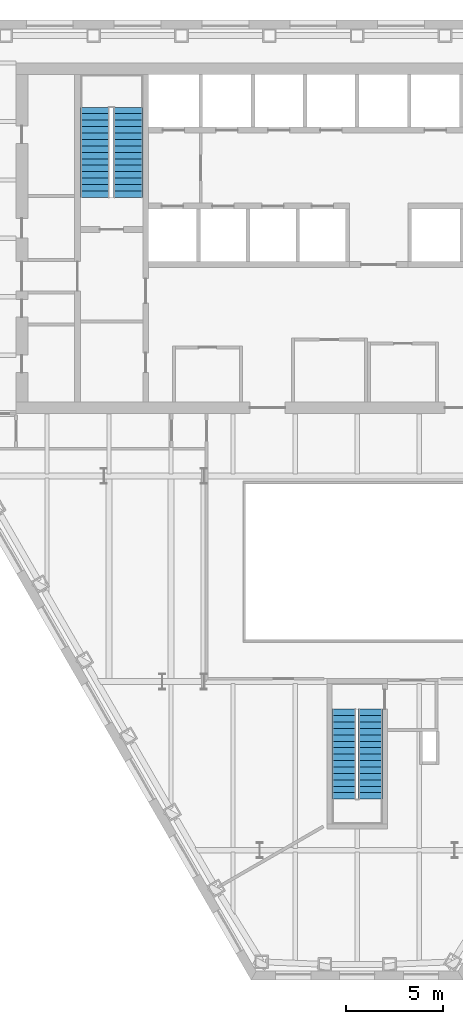
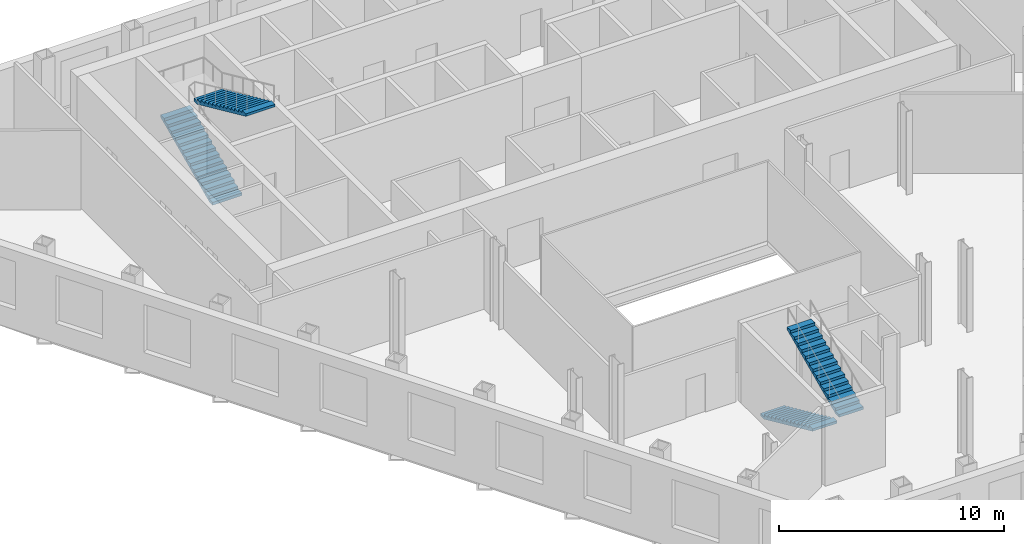
# One storey, part 9 of 11: 4 stair flights, 2 elements without a shape of their own.
"""IFC4 building model written with IfcOpenShell, lengths in metres."""

from ifc_helpers import new_model, si_unit, direction, frame, origin, place, context, subcontext, project, spatial, polygons, material, type_object, element, aggregate, save


model = new_model("IFC4")

# Units and contexts
model_context = context("Model", 3, precision=1e-05, world=origin(), true_north=direction((0.0, 1.0)))
body_context = subcontext(model_context, "Body", "Model", "MODEL_VIEW")
ifc_project = project(units=[si_unit("LENGTHUNIT", "METRE"), si_unit("AREAUNIT", "SQUARE_METRE"), si_unit("VOLUMEUNIT", "CUBIC_METRE"), si_unit("PLANEANGLEUNIT", "RADIAN"), si_unit("MASSUNIT", "GRAM", prefix="KILO")], contexts=[model_context])

# Site, building, storey
site_placement = place(None, origin())
site = spatial("IfcSite", under=ifc_project, at=site_placement, CompositionType="ELEMENT")
building_placement = place(site_placement, origin())
building = spatial("IfcBuilding", under=site, at=building_placement, Name="Njiva Tower", CompositionType="ELEMENT")
storey_placement = place(building_placement, frame((0.0, 0.0, 69.3)))
storey = spatial("IfcBuildingStorey", under=building, at=storey_placement, Name="L14", CompositionType="ELEMENT", Elevation=69.3)

# Stair, stair flights
ifc_material = material(Name="Concrete C40/50", Category="concrete")
stair_type_1 = type_object("IfcStairType", Name="ST1 Exit stair 1250", PredefinedType="HALF_TURN_STAIR", material=ifc_material)
stair_1_placement = place(storey_placement, origin())
stair_1 = element("IfcStair", 1, at=stair_1_placement, inside=storey, type_object=stair_type_1, Name="Stair C", PredefinedType="HALF_TURN_STAIR")
stair_flight_type_1 = type_object("IfcStairFlightType", Name="FL1 Stair flight 1250", PredefinedType="STRAIGHT", material=ifc_material)
stair_flight_1_placement = place(storey_placement, frame((-0.675, -15.16, 0.0), z_axis=(0.0, 0.0, 1.0), x_axis=(0.0, -1.0, 0.0)))
stair_flight_1 = element("IfcStairFlight", 2, at=stair_flight_1_placement, type_object=stair_flight_type_1, Name="ST-C flight 1", NumberOfRisers=15, NumberOfTreads=14, PredefinedType="STRAIGHT", RiserHeight=0.15, TreadLength=0.33, context=body_context, shape_type="Tessellation", body=[
    polygons([(0.0, 0.625, 0.0), (0.0, 0.3125, 0.0), (0.0, 0.0, 0.0), (0.0, -0.3125, 0.0), (0.0, -0.625, 0.0), (0.0, 0.625, 0.15), (0.0, 0.3125, 0.15), (0.0, 0.0, 0.15), (0.0, -0.3125, 0.15), (0.0, -0.625, 0.15), (0.33, 0.625, 0.15), (0.33, 0.3125, 0.15), (0.33, 0.0, 0.15), (0.33, -0.3125, 0.15), (0.33, -0.625, 0.15), (0.33, 0.625, 0.3), (0.33, 0.3125, 0.3), (0.33, 0.0, 0.3), (0.33, -0.3125, 0.3), (0.33, -0.625, 0.3), (0.66, 0.625, 0.3), (0.66, 0.3125, 0.3), (0.66, 0.0, 0.3), (0.66, -0.3125, 0.3), (0.66, -0.625, 0.3), (0.66, 0.625, 0.45), (0.66, 0.3125, 0.45), (0.66, 0.0, 0.45), (0.66, -0.3125, 0.45), (0.66, -0.625, 0.45), (0.99, 0.625, 0.45), (0.99, 0.3125, 0.45), (0.99, 0.0, 0.45), (0.99, -0.3125, 0.45), (0.99, -0.625, 0.45), (0.99, 0.625, 0.6), (0.99, 0.3125, 0.6), (0.99, 0.0, 0.6), (0.99, -0.3125, 0.6), (0.99, -0.625, 0.6), (1.32, 0.625, 0.6), (1.32, 0.3125, 0.6), (1.32, 0.0, 0.6), (1.32, -0.3125, 0.6), (1.32, -0.625, 0.6), (1.32, 0.625, 0.75), (1.32, 0.3125, 0.75), (1.32, 0.0, 0.75), (1.32, -0.3125, 0.75), (1.32, -0.625, 0.75), (1.65, 0.625, 0.75), (1.65, 0.3125, 0.75), (1.65, 0.0, 0.75), (1.65, -0.3125, 0.75), (1.65, -0.625, 0.75), (1.65, 0.625, 0.9), (1.65, 0.3125, 0.9), (1.65, 0.0, 0.9), (1.65, -0.3125, 0.9), (1.65, -0.625, 0.9), (1.98, 0.625, 0.9), (1.98, 0.3125, 0.9), (1.98, 0.0, 0.9), (1.98, -0.3125, 0.9), (1.98, -0.625, 0.9), (1.98, 0.625, 1.05), (1.98, 0.3125, 1.05), (1.98, 0.0, 1.05), (1.98, -0.3125, 1.05), (1.98, -0.625, 1.05), (2.31, 0.625, 1.05), (2.31, 0.3125, 1.05), (2.31, 0.0, 1.05), (2.31, -0.3125, 1.05), (2.31, -0.625, 1.05), (2.31, 0.625, 1.2), (2.31, 0.3125, 1.2), (2.31, 0.0, 1.2), (2.31, -0.3125, 1.2), (2.31, -0.625, 1.2), (2.64, 0.625, 1.2), (2.64, 0.3125, 1.2), (2.64, 0.0, 1.2), (2.64, -0.3125, 1.2), (2.64, -0.625, 1.2), (2.64, 0.625, 1.35), (2.64, 0.3125, 1.35), (2.64, 0.0, 1.35), (2.64, -0.3125, 1.35), (2.64, -0.625, 1.35), (2.97, 0.625, 1.35), (2.97, 0.3125, 1.35), (2.97, 0.0, 1.35), (2.97, -0.3125, 1.35), (2.97, -0.625, 1.35), (2.97, 0.625, 1.5), (2.97, 0.3125, 1.5), (2.97, 0.0, 1.5), (2.97, -0.3125, 1.5), (2.97, -0.625, 1.5), (3.3, 0.625, 1.5), (3.3, 0.3125, 1.5), (3.3, 0.0, 1.5), (3.3, -0.3125, 1.5), (3.3, -0.625, 1.5), (3.3, 0.625, 1.65), (3.3, 0.3125, 1.65), (3.3, 0.0, 1.65), (3.3, -0.3125, 1.65), (3.3, -0.625, 1.65), (3.63, 0.625, 1.65), (3.63, 0.3125, 1.65), (3.63, 0.0, 1.65), (3.63, -0.3125, 1.65), (3.63, -0.625, 1.65), (3.63, 0.625, 1.8), (3.63, 0.3125, 1.8), (3.63, 0.0, 1.8), (3.63, -0.3125, 1.8), (3.63, -0.625, 1.8), (3.96, 0.625, 1.8), (3.96, 0.3125, 1.8), (3.96, 0.0, 1.8), (3.96, -0.3125, 1.8), (3.96, -0.625, 1.8), (3.96, 0.625, 1.95), (3.96, 0.3125, 1.95), (3.96, 0.0, 1.95), (3.96, -0.3125, 1.95), (3.96, -0.625, 1.95), (4.29, 0.625, 1.95), (4.29, 0.3125, 1.95), (4.29, 0.0, 1.95), (4.29, -0.3125, 1.95), (4.29, -0.625, 1.95), (4.29, 0.625, 2.1), (4.29, 0.3125, 2.1), (4.29, 0.0, 2.1), (4.29, -0.3125, 2.1), (4.29, -0.625, 2.1), (4.62, 0.625, 2.1), (4.62, 0.3125, 2.1), (4.62, 0.0, 2.1), (4.62, -0.3125, 2.1), (4.62, -0.625, 2.1), (4.62, 0.625, 1.9682), (4.62, 0.3125, 1.9682), (4.62, 0.0, 1.9682), (4.62, -0.3125, 1.9682), (4.62, -0.625, 1.9682), (0.29, 0.625, 0.0), (0.29, 0.3125, 0.0), (0.29, 0.0, 0.0), (0.29, -0.3125, 0.0), (0.29, -0.625, 0.0)], [[[1, 6, 11, 16, 21, 26, 31, 36, 41, 46, 51, 56, 61, 66, 71, 76, 81, 86, 91, 96, 101, 106, 111, 116, 121, 126, 131, 136, 141, 146, 151]], [[155, 150, 145, 140, 135, 130, 125, 120, 115, 110, 105, 100, 95, 90, 85, 80, 75, 70, 65, 60, 55, 50, 45, 40, 35, 30, 25, 20, 15, 10, 5]], [[6, 1, 2, 7]], [[7, 2, 3, 8]], [[8, 3, 4, 9]], [[9, 4, 5, 10]], [[11, 6, 7, 12]], [[12, 7, 8, 13]], [[13, 8, 9, 14]], [[14, 9, 10, 15]], [[16, 11, 12, 17]], [[17, 12, 13, 18]], [[18, 13, 14, 19]], [[19, 14, 15, 20]], [[21, 16, 17, 22]], [[22, 17, 18, 23]], [[23, 18, 19, 24]], [[24, 19, 20, 25]], [[26, 21, 22, 27]], [[27, 22, 23, 28]], [[28, 23, 24, 29]], [[29, 24, 25, 30]], [[31, 26, 27, 32]], [[32, 27, 28, 33]], [[33, 28, 29, 34]], [[34, 29, 30, 35]], [[36, 31, 32, 37]], [[37, 32, 33, 38]], [[38, 33, 34, 39]], [[39, 34, 35, 40]], [[41, 36, 37, 42]], [[42, 37, 38, 43]], [[43, 38, 39, 44]], [[44, 39, 40, 45]], [[46, 41, 42, 47]], [[47, 42, 43, 48]], [[48, 43, 44, 49]], [[49, 44, 45, 50]], [[51, 46, 47, 52]], [[52, 47, 48, 53]], [[53, 48, 49, 54]], [[54, 49, 50, 55]], [[56, 51, 52, 57]], [[57, 52, 53, 58]], [[58, 53, 54, 59]], [[59, 54, 55, 60]], [[61, 56, 57, 62]], [[62, 57, 58, 63]], [[63, 58, 59, 64]], [[64, 59, 60, 65]], [[66, 61, 62, 67]], [[67, 62, 63, 68]], [[68, 63, 64, 69]], [[69, 64, 65, 70]], [[71, 66, 67, 72]], [[72, 67, 68, 73]], [[73, 68, 69, 74]], [[74, 69, 70, 75]], [[76, 71, 72, 77]], [[77, 72, 73, 78]], [[78, 73, 74, 79]], [[79, 74, 75, 80]], [[81, 76, 77, 82]], [[82, 77, 78, 83]], [[83, 78, 79, 84]], [[84, 79, 80, 85]], [[86, 81, 82, 87]], [[87, 82, 83, 88]], [[88, 83, 84, 89]], [[89, 84, 85, 90]], [[91, 86, 87, 92]], [[92, 87, 88, 93]], [[93, 88, 89, 94]], [[94, 89, 90, 95]], [[96, 91, 92, 97]], [[97, 92, 93, 98]], [[98, 93, 94, 99]], [[99, 94, 95, 100]], [[101, 96, 97, 102]], [[102, 97, 98, 103]], [[103, 98, 99, 104]], [[104, 99, 100, 105]], [[106, 101, 102, 107]], [[107, 102, 103, 108]], [[108, 103, 104, 109]], [[109, 104, 105, 110]], [[111, 106, 107, 112]], [[112, 107, 108, 113]], [[113, 108, 109, 114]], [[114, 109, 110, 115]], [[116, 111, 112, 117]], [[117, 112, 113, 118]], [[118, 113, 114, 119]], [[119, 114, 115, 120]], [[121, 116, 117, 122]], [[122, 117, 118, 123]], [[123, 118, 119, 124]], [[124, 119, 120, 125]], [[126, 121, 122, 127]], [[127, 122, 123, 128]], [[128, 123, 124, 129]], [[129, 124, 125, 130]], [[131, 126, 127, 132]], [[132, 127, 128, 133]], [[133, 128, 129, 134]], [[134, 129, 130, 135]], [[136, 131, 132, 137]], [[137, 132, 133, 138]], [[138, 133, 134, 139]], [[139, 134, 135, 140]], [[141, 136, 137, 142]], [[142, 137, 138, 143]], [[143, 138, 139, 144]], [[144, 139, 140, 145]], [[146, 141, 142, 147]], [[147, 142, 143, 148]], [[148, 143, 144, 149]], [[149, 144, 145, 150]], [[151, 146, 147, 152]], [[152, 147, 148, 153]], [[153, 148, 149, 154]], [[154, 149, 150, 155]], [[1, 151, 152, 2]], [[2, 152, 153, 3]], [[3, 153, 154, 4]], [[4, 154, 155, 5]]], closed=True),
])
stair_flight_2_placement = place(storey_placement, frame((0.675, -19.78, 2.25), z_axis=(0.0, 0.0, 1.0), x_axis=(0.0, 1.0, 0.0)))
stair_flight_2 = element("IfcStairFlight", 3, at=stair_flight_2_placement, type_object=stair_flight_type_1, Name="ST-C flight 2", NumberOfRisers=15, NumberOfTreads=14, PredefinedType="STRAIGHT", RiserHeight=0.15, TreadLength=0.33, context=body_context, shape_type="Tessellation", body=[
    polygons([(0.0, 0.625, 0.0), (0.0, 0.3125, 0.0), (0.0, 0.0, 0.0), (0.0, -0.3125, 0.0), (0.0, -0.625, 0.0), (0.0, 0.625, 0.15), (0.0, 0.3125, 0.15), (0.0, 0.0, 0.15), (0.0, -0.3125, 0.15), (0.0, -0.625, 0.15), (0.33, 0.625, 0.15), (0.33, 0.3125, 0.15), (0.33, 0.0, 0.15), (0.33, -0.3125, 0.15), (0.33, -0.625, 0.15), (0.33, 0.625, 0.3), (0.33, 0.3125, 0.3), (0.33, 0.0, 0.3), (0.33, -0.3125, 0.3), (0.33, -0.625, 0.3), (0.66, 0.625, 0.3), (0.66, 0.3125, 0.3), (0.66, 0.0, 0.3), (0.66, -0.3125, 0.3), (0.66, -0.625, 0.3), (0.66, 0.625, 0.45), (0.66, 0.3125, 0.45), (0.66, 0.0, 0.45), (0.66, -0.3125, 0.45), (0.66, -0.625, 0.45), (0.99, 0.625, 0.45), (0.99, 0.3125, 0.45), (0.99, 0.0, 0.45), (0.99, -0.3125, 0.45), (0.99, -0.625, 0.45), (0.99, 0.625, 0.6), (0.99, 0.3125, 0.6), (0.99, 0.0, 0.6), (0.99, -0.3125, 0.6), (0.99, -0.625, 0.6), (1.32, 0.625, 0.6), (1.32, 0.3125, 0.6), (1.32, 0.0, 0.6), (1.32, -0.3125, 0.6), (1.32, -0.625, 0.6), (1.32, 0.625, 0.75), (1.32, 0.3125, 0.75), (1.32, 0.0, 0.75), (1.32, -0.3125, 0.75), (1.32, -0.625, 0.75), (1.65, 0.625, 0.75), (1.65, 0.3125, 0.75), (1.65, 0.0, 0.75), (1.65, -0.3125, 0.75), (1.65, -0.625, 0.75), (1.65, 0.625, 0.9), (1.65, 0.3125, 0.9), (1.65, 0.0, 0.9), (1.65, -0.3125, 0.9), (1.65, -0.625, 0.9), (1.98, 0.625, 0.9), (1.98, 0.3125, 0.9), (1.98, 0.0, 0.9), (1.98, -0.3125, 0.9), (1.98, -0.625, 0.9), (1.98, 0.625, 1.05), (1.98, 0.3125, 1.05), (1.98, 0.0, 1.05), (1.98, -0.3125, 1.05), (1.98, -0.625, 1.05), (2.31, 0.625, 1.05), (2.31, 0.3125, 1.05), (2.31, 0.0, 1.05), (2.31, -0.3125, 1.05), (2.31, -0.625, 1.05), (2.31, 0.625, 1.2), (2.31, 0.3125, 1.2), (2.31, 0.0, 1.2), (2.31, -0.3125, 1.2), (2.31, -0.625, 1.2), (2.64, 0.625, 1.2), (2.64, 0.3125, 1.2), (2.64, 0.0, 1.2), (2.64, -0.3125, 1.2), (2.64, -0.625, 1.2), (2.64, 0.625, 1.35), (2.64, 0.3125, 1.35), (2.64, 0.0, 1.35), (2.64, -0.3125, 1.35), (2.64, -0.625, 1.35), (2.97, 0.625, 1.35), (2.97, 0.3125, 1.35), (2.97, 0.0, 1.35), (2.97, -0.3125, 1.35), (2.97, -0.625, 1.35), (2.97, 0.625, 1.5), (2.97, 0.3125, 1.5), (2.97, 0.0, 1.5), (2.97, -0.3125, 1.5), (2.97, -0.625, 1.5), (3.3, 0.625, 1.5), (3.3, 0.3125, 1.5), (3.3, 0.0, 1.5), (3.3, -0.3125, 1.5), (3.3, -0.625, 1.5), (3.3, 0.625, 1.65), (3.3, 0.3125, 1.65), (3.3, 0.0, 1.65), (3.3, -0.3125, 1.65), (3.3, -0.625, 1.65), (3.63, 0.625, 1.65), (3.63, 0.3125, 1.65), (3.63, 0.0, 1.65), (3.63, -0.3125, 1.65), (3.63, -0.625, 1.65), (3.63, 0.625, 1.8), (3.63, 0.3125, 1.8), (3.63, 0.0, 1.8), (3.63, -0.3125, 1.8), (3.63, -0.625, 1.8), (3.96, 0.625, 1.8), (3.96, 0.3125, 1.8), (3.96, 0.0, 1.8), (3.96, -0.3125, 1.8), (3.96, -0.625, 1.8), (3.96, 0.625, 1.95), (3.96, 0.3125, 1.95), (3.96, 0.0, 1.95), (3.96, -0.3125, 1.95), (3.96, -0.625, 1.95), (4.29, 0.625, 1.95), (4.29, 0.3125, 1.95), (4.29, 0.0, 1.95), (4.29, -0.3125, 1.95), (4.29, -0.625, 1.95), (4.29, 0.625, 2.1), (4.29, 0.3125, 2.1), (4.29, 0.0, 2.1), (4.29, -0.3125, 2.1), (4.29, -0.625, 2.1), (4.62, 0.625, 2.1), (4.62, 0.3125, 2.1), (4.62, 0.0, 2.1), (4.62, -0.3125, 2.1), (4.62, -0.625, 2.1), (4.62, 0.625, 1.9682), (4.62, 0.3125, 1.9682), (4.62, 0.0, 1.9682), (4.62, -0.3125, 1.9682), (4.62, -0.625, 1.9682), (0.29, 0.625, 0.0), (0.29, 0.3125, 0.0), (0.29, 0.0, 0.0), (0.29, -0.3125, 0.0), (0.29, -0.625, 0.0)], [[[1, 6, 11, 16, 21, 26, 31, 36, 41, 46, 51, 56, 61, 66, 71, 76, 81, 86, 91, 96, 101, 106, 111, 116, 121, 126, 131, 136, 141, 146, 151]], [[155, 150, 145, 140, 135, 130, 125, 120, 115, 110, 105, 100, 95, 90, 85, 80, 75, 70, 65, 60, 55, 50, 45, 40, 35, 30, 25, 20, 15, 10, 5]], [[6, 1, 2, 7]], [[7, 2, 3, 8]], [[8, 3, 4, 9]], [[9, 4, 5, 10]], [[11, 6, 7, 12]], [[12, 7, 8, 13]], [[13, 8, 9, 14]], [[14, 9, 10, 15]], [[16, 11, 12, 17]], [[17, 12, 13, 18]], [[18, 13, 14, 19]], [[19, 14, 15, 20]], [[21, 16, 17, 22]], [[22, 17, 18, 23]], [[23, 18, 19, 24]], [[24, 19, 20, 25]], [[26, 21, 22, 27]], [[27, 22, 23, 28]], [[28, 23, 24, 29]], [[29, 24, 25, 30]], [[31, 26, 27, 32]], [[32, 27, 28, 33]], [[33, 28, 29, 34]], [[34, 29, 30, 35]], [[36, 31, 32, 37]], [[37, 32, 33, 38]], [[38, 33, 34, 39]], [[39, 34, 35, 40]], [[41, 36, 37, 42]], [[42, 37, 38, 43]], [[43, 38, 39, 44]], [[44, 39, 40, 45]], [[46, 41, 42, 47]], [[47, 42, 43, 48]], [[48, 43, 44, 49]], [[49, 44, 45, 50]], [[51, 46, 47, 52]], [[52, 47, 48, 53]], [[53, 48, 49, 54]], [[54, 49, 50, 55]], [[56, 51, 52, 57]], [[57, 52, 53, 58]], [[58, 53, 54, 59]], [[59, 54, 55, 60]], [[61, 56, 57, 62]], [[62, 57, 58, 63]], [[63, 58, 59, 64]], [[64, 59, 60, 65]], [[66, 61, 62, 67]], [[67, 62, 63, 68]], [[68, 63, 64, 69]], [[69, 64, 65, 70]], [[71, 66, 67, 72]], [[72, 67, 68, 73]], [[73, 68, 69, 74]], [[74, 69, 70, 75]], [[76, 71, 72, 77]], [[77, 72, 73, 78]], [[78, 73, 74, 79]], [[79, 74, 75, 80]], [[81, 76, 77, 82]], [[82, 77, 78, 83]], [[83, 78, 79, 84]], [[84, 79, 80, 85]], [[86, 81, 82, 87]], [[87, 82, 83, 88]], [[88, 83, 84, 89]], [[89, 84, 85, 90]], [[91, 86, 87, 92]], [[92, 87, 88, 93]], [[93, 88, 89, 94]], [[94, 89, 90, 95]], [[96, 91, 92, 97]], [[97, 92, 93, 98]], [[98, 93, 94, 99]], [[99, 94, 95, 100]], [[101, 96, 97, 102]], [[102, 97, 98, 103]], [[103, 98, 99, 104]], [[104, 99, 100, 105]], [[106, 101, 102, 107]], [[107, 102, 103, 108]], [[108, 103, 104, 109]], [[109, 104, 105, 110]], [[111, 106, 107, 112]], [[112, 107, 108, 113]], [[113, 108, 109, 114]], [[114, 109, 110, 115]], [[116, 111, 112, 117]], [[117, 112, 113, 118]], [[118, 113, 114, 119]], [[119, 114, 115, 120]], [[121, 116, 117, 122]], [[122, 117, 118, 123]], [[123, 118, 119, 124]], [[124, 119, 120, 125]], [[126, 121, 122, 127]], [[127, 122, 123, 128]], [[128, 123, 124, 129]], [[129, 124, 125, 130]], [[131, 126, 127, 132]], [[132, 127, 128, 133]], [[133, 128, 129, 134]], [[134, 129, 130, 135]], [[136, 131, 132, 137]], [[137, 132, 133, 138]], [[138, 133, 134, 139]], [[139, 134, 135, 140]], [[141, 136, 137, 142]], [[142, 137, 138, 143]], [[143, 138, 139, 144]], [[144, 139, 140, 145]], [[146, 141, 142, 147]], [[147, 142, 143, 148]], [[148, 143, 144, 149]], [[149, 144, 145, 150]], [[151, 146, 147, 152]], [[152, 147, 148, 153]], [[153, 148, 149, 154]], [[154, 149, 150, 155]], [[1, 151, 152, 2]], [[2, 152, 153, 3]], [[3, 153, 154, 4]], [[4, 154, 155, 5]]], closed=True),
])
aggregate(stair_1, [stair_flight_1, stair_flight_2])

stair_type_2 = type_object("IfcStairType", Name="ST4 Exit stair 1500", PredefinedType="HALF_TURN_STAIR", material=ifc_material)
stair_2_placement = place(storey_placement, origin())
stair_2 = element("IfcStair", 4, at=stair_2_placement, inside=storey, type_object=stair_type_2, Name="Stair A", PredefinedType="HALF_TURN_STAIR")
stair_flight_type_2 = type_object("IfcStairFlightType", Name="FL4 Stair flight 1500", PredefinedType="STRAIGHT", material=ifc_material)
stair_flight_3_placement = place(storey_placement, frame((-13.45, 11.1, 0.0), z_axis=(0.0, 0.0, 1.0), x_axis=(0.0, 1.0, 0.0)))
stair_flight_3 = element("IfcStairFlight", 5, at=stair_flight_3_placement, type_object=stair_flight_type_2, Name="ST-A flight 1", NumberOfRisers=15, NumberOfTreads=14, PredefinedType="STRAIGHT", RiserHeight=0.15, TreadLength=0.33, context=body_context, shape_type="Tessellation", body=[
    polygons([(0.0, 0.75, 0.0), (0.0, 0.375, 0.0), (0.0, 0.0, 0.0), (0.0, -0.375, 0.0), (0.0, -0.75, 0.0), (0.0, 0.75, 0.15), (0.0, 0.375, 0.15), (0.0, 0.0, 0.15), (0.0, -0.375, 0.15), (0.0, -0.75, 0.15), (0.33, 0.75, 0.15), (0.33, 0.375, 0.15), (0.33, 0.0, 0.15), (0.33, -0.375, 0.15), (0.33, -0.75, 0.15), (0.33, 0.75, 0.3), (0.33, 0.375, 0.3), (0.33, 0.0, 0.3), (0.33, -0.375, 0.3), (0.33, -0.75, 0.3), (0.66, 0.75, 0.3), (0.66, 0.375, 0.3), (0.66, 0.0, 0.3), (0.66, -0.375, 0.3), (0.66, -0.75, 0.3), (0.66, 0.75, 0.45), (0.66, 0.375, 0.45), (0.66, 0.0, 0.45), (0.66, -0.375, 0.45), (0.66, -0.75, 0.45), (0.99, 0.75, 0.45), (0.99, 0.375, 0.45), (0.99, 0.0, 0.45), (0.99, -0.375, 0.45), (0.99, -0.75, 0.45), (0.99, 0.75, 0.6), (0.99, 0.375, 0.6), (0.99, 0.0, 0.6), (0.99, -0.375, 0.6), (0.99, -0.75, 0.6), (1.32, 0.75, 0.6), (1.32, 0.375, 0.6), (1.32, 0.0, 0.6), (1.32, -0.375, 0.6), (1.32, -0.75, 0.6), (1.32, 0.75, 0.75), (1.32, 0.375, 0.75), (1.32, 0.0, 0.75), (1.32, -0.375, 0.75), (1.32, -0.75, 0.75), (1.65, 0.75, 0.75), (1.65, 0.375, 0.75), (1.65, 0.0, 0.75), (1.65, -0.375, 0.75), (1.65, -0.75, 0.75), (1.65, 0.75, 0.9), (1.65, 0.375, 0.9), (1.65, 0.0, 0.9), (1.65, -0.375, 0.9), (1.65, -0.75, 0.9), (1.98, 0.75, 0.9), (1.98, 0.375, 0.9), (1.98, 0.0, 0.9), (1.98, -0.375, 0.9), (1.98, -0.75, 0.9), (1.98, 0.75, 1.05), (1.98, 0.375, 1.05), (1.98, 0.0, 1.05), (1.98, -0.375, 1.05), (1.98, -0.75, 1.05), (2.31, 0.75, 1.05), (2.31, 0.375, 1.05), (2.31, 0.0, 1.05), (2.31, -0.375, 1.05), (2.31, -0.75, 1.05), (2.31, 0.75, 1.2), (2.31, 0.375, 1.2), (2.31, 0.0, 1.2), (2.31, -0.375, 1.2), (2.31, -0.75, 1.2), (2.64, 0.75, 1.2), (2.64, 0.375, 1.2), (2.64, 0.0, 1.2), (2.64, -0.375, 1.2), (2.64, -0.75, 1.2), (2.64, 0.75, 1.35), (2.64, 0.375, 1.35), (2.64, 0.0, 1.35), (2.64, -0.375, 1.35), (2.64, -0.75, 1.35), (2.97, 0.75, 1.35), (2.97, 0.375, 1.35), (2.97, 0.0, 1.35), (2.97, -0.375, 1.35), (2.97, -0.75, 1.35), (2.97, 0.75, 1.5), (2.97, 0.375, 1.5), (2.97, 0.0, 1.5), (2.97, -0.375, 1.5), (2.97, -0.75, 1.5), (3.3, 0.75, 1.5), (3.3, 0.375, 1.5), (3.3, 0.0, 1.5), (3.3, -0.375, 1.5), (3.3, -0.75, 1.5), (3.3, 0.75, 1.65), (3.3, 0.375, 1.65), (3.3, 0.0, 1.65), (3.3, -0.375, 1.65), (3.3, -0.75, 1.65), (3.63, 0.75, 1.65), (3.63, 0.375, 1.65), (3.63, 0.0, 1.65), (3.63, -0.375, 1.65), (3.63, -0.75, 1.65), (3.63, 0.75, 1.8), (3.63, 0.375, 1.8), (3.63, 0.0, 1.8), (3.63, -0.375, 1.8), (3.63, -0.75, 1.8), (3.96, 0.75, 1.8), (3.96, 0.375, 1.8), (3.96, 0.0, 1.8), (3.96, -0.375, 1.8), (3.96, -0.75, 1.8), (3.96, 0.75, 1.95), (3.96, 0.375, 1.95), (3.96, 0.0, 1.95), (3.96, -0.375, 1.95), (3.96, -0.75, 1.95), (4.29, 0.75, 1.95), (4.29, 0.375, 1.95), (4.29, 0.0, 1.95), (4.29, -0.375, 1.95), (4.29, -0.75, 1.95), (4.29, 0.75, 2.1), (4.29, 0.375, 2.1), (4.29, 0.0, 2.1), (4.29, -0.375, 2.1), (4.29, -0.75, 2.1), (4.62, 0.75, 2.1), (4.62, 0.375, 2.1), (4.62, 0.0, 2.1), (4.62, -0.375, 2.1), (4.62, -0.75, 2.1), (4.62, 0.75, 1.9682), (4.62, 0.375, 1.9682), (4.62, 0.0, 1.9682), (4.62, -0.375, 1.9682), (4.62, -0.75, 1.9682), (0.29, 0.75, 0.0), (0.29, 0.375, 0.0), (0.29, 0.0, 0.0), (0.29, -0.375, 0.0), (0.29, -0.75, 0.0)], [[[1, 6, 11, 16, 21, 26, 31, 36, 41, 46, 51, 56, 61, 66, 71, 76, 81, 86, 91, 96, 101, 106, 111, 116, 121, 126, 131, 136, 141, 146, 151]], [[155, 150, 145, 140, 135, 130, 125, 120, 115, 110, 105, 100, 95, 90, 85, 80, 75, 70, 65, 60, 55, 50, 45, 40, 35, 30, 25, 20, 15, 10, 5]], [[6, 1, 2, 7]], [[7, 2, 3, 8]], [[8, 3, 4, 9]], [[9, 4, 5, 10]], [[11, 6, 7, 12]], [[12, 7, 8, 13]], [[13, 8, 9, 14]], [[14, 9, 10, 15]], [[16, 11, 12, 17]], [[17, 12, 13, 18]], [[18, 13, 14, 19]], [[19, 14, 15, 20]], [[21, 16, 17, 22]], [[22, 17, 18, 23]], [[23, 18, 19, 24]], [[24, 19, 20, 25]], [[26, 21, 22, 27]], [[27, 22, 23, 28]], [[28, 23, 24, 29]], [[29, 24, 25, 30]], [[31, 26, 27, 32]], [[32, 27, 28, 33]], [[33, 28, 29, 34]], [[34, 29, 30, 35]], [[36, 31, 32, 37]], [[37, 32, 33, 38]], [[38, 33, 34, 39]], [[39, 34, 35, 40]], [[41, 36, 37, 42]], [[42, 37, 38, 43]], [[43, 38, 39, 44]], [[44, 39, 40, 45]], [[46, 41, 42, 47]], [[47, 42, 43, 48]], [[48, 43, 44, 49]], [[49, 44, 45, 50]], [[51, 46, 47, 52]], [[52, 47, 48, 53]], [[53, 48, 49, 54]], [[54, 49, 50, 55]], [[56, 51, 52, 57]], [[57, 52, 53, 58]], [[58, 53, 54, 59]], [[59, 54, 55, 60]], [[61, 56, 57, 62]], [[62, 57, 58, 63]], [[63, 58, 59, 64]], [[64, 59, 60, 65]], [[66, 61, 62, 67]], [[67, 62, 63, 68]], [[68, 63, 64, 69]], [[69, 64, 65, 70]], [[71, 66, 67, 72]], [[72, 67, 68, 73]], [[73, 68, 69, 74]], [[74, 69, 70, 75]], [[76, 71, 72, 77]], [[77, 72, 73, 78]], [[78, 73, 74, 79]], [[79, 74, 75, 80]], [[81, 76, 77, 82]], [[82, 77, 78, 83]], [[83, 78, 79, 84]], [[84, 79, 80, 85]], [[86, 81, 82, 87]], [[87, 82, 83, 88]], [[88, 83, 84, 89]], [[89, 84, 85, 90]], [[91, 86, 87, 92]], [[92, 87, 88, 93]], [[93, 88, 89, 94]], [[94, 89, 90, 95]], [[96, 91, 92, 97]], [[97, 92, 93, 98]], [[98, 93, 94, 99]], [[99, 94, 95, 100]], [[101, 96, 97, 102]], [[102, 97, 98, 103]], [[103, 98, 99, 104]], [[104, 99, 100, 105]], [[106, 101, 102, 107]], [[107, 102, 103, 108]], [[108, 103, 104, 109]], [[109, 104, 105, 110]], [[111, 106, 107, 112]], [[112, 107, 108, 113]], [[113, 108, 109, 114]], [[114, 109, 110, 115]], [[116, 111, 112, 117]], [[117, 112, 113, 118]], [[118, 113, 114, 119]], [[119, 114, 115, 120]], [[121, 116, 117, 122]], [[122, 117, 118, 123]], [[123, 118, 119, 124]], [[124, 119, 120, 125]], [[126, 121, 122, 127]], [[127, 122, 123, 128]], [[128, 123, 124, 129]], [[129, 124, 125, 130]], [[131, 126, 127, 132]], [[132, 127, 128, 133]], [[133, 128, 129, 134]], [[134, 129, 130, 135]], [[136, 131, 132, 137]], [[137, 132, 133, 138]], [[138, 133, 134, 139]], [[139, 134, 135, 140]], [[141, 136, 137, 142]], [[142, 137, 138, 143]], [[143, 138, 139, 144]], [[144, 139, 140, 145]], [[146, 141, 142, 147]], [[147, 142, 143, 148]], [[148, 143, 144, 149]], [[149, 144, 145, 150]], [[151, 146, 147, 152]], [[152, 147, 148, 153]], [[153, 148, 149, 154]], [[154, 149, 150, 155]], [[1, 151, 152, 2]], [[2, 152, 153, 3]], [[3, 153, 154, 4]], [[4, 154, 155, 5]]], closed=True),
])
stair_flight_4_placement = place(storey_placement, frame((-11.75, 15.72, 2.25), z_axis=(0.0, 0.0, 1.0), x_axis=(0.0, -1.0, 0.0)))
stair_flight_4 = element("IfcStairFlight", 6, at=stair_flight_4_placement, type_object=stair_flight_type_2, Name="ST-A flight 2", NumberOfRisers=15, NumberOfTreads=14, PredefinedType="STRAIGHT", RiserHeight=0.15, TreadLength=0.33, context=body_context, shape_type="Tessellation", body=[
    polygons([(0.0, 0.75, 0.0), (0.0, 0.375, 0.0), (0.0, 0.0, 0.0), (0.0, -0.375, 0.0), (0.0, -0.75, 0.0), (0.0, 0.75, 0.15), (0.0, 0.375, 0.15), (0.0, 0.0, 0.15), (0.0, -0.375, 0.15), (0.0, -0.75, 0.15), (0.33, 0.75, 0.15), (0.33, 0.375, 0.15), (0.33, 0.0, 0.15), (0.33, -0.375, 0.15), (0.33, -0.75, 0.15), (0.33, 0.75, 0.3), (0.33, 0.375, 0.3), (0.33, 0.0, 0.3), (0.33, -0.375, 0.3), (0.33, -0.75, 0.3), (0.66, 0.75, 0.3), (0.66, 0.375, 0.3), (0.66, 0.0, 0.3), (0.66, -0.375, 0.3), (0.66, -0.75, 0.3), (0.66, 0.75, 0.45), (0.66, 0.375, 0.45), (0.66, 0.0, 0.45), (0.66, -0.375, 0.45), (0.66, -0.75, 0.45), (0.99, 0.75, 0.45), (0.99, 0.375, 0.45), (0.99, 0.0, 0.45), (0.99, -0.375, 0.45), (0.99, -0.75, 0.45), (0.99, 0.75, 0.6), (0.99, 0.375, 0.6), (0.99, 0.0, 0.6), (0.99, -0.375, 0.6), (0.99, -0.75, 0.6), (1.32, 0.75, 0.6), (1.32, 0.375, 0.6), (1.32, 0.0, 0.6), (1.32, -0.375, 0.6), (1.32, -0.75, 0.6), (1.32, 0.75, 0.75), (1.32, 0.375, 0.75), (1.32, 0.0, 0.75), (1.32, -0.375, 0.75), (1.32, -0.75, 0.75), (1.65, 0.75, 0.75), (1.65, 0.375, 0.75), (1.65, 0.0, 0.75), (1.65, -0.375, 0.75), (1.65, -0.75, 0.75), (1.65, 0.75, 0.9), (1.65, 0.375, 0.9), (1.65, 0.0, 0.9), (1.65, -0.375, 0.9), (1.65, -0.75, 0.9), (1.98, 0.75, 0.9), (1.98, 0.375, 0.9), (1.98, 0.0, 0.9), (1.98, -0.375, 0.9), (1.98, -0.75, 0.9), (1.98, 0.75, 1.05), (1.98, 0.375, 1.05), (1.98, 0.0, 1.05), (1.98, -0.375, 1.05), (1.98, -0.75, 1.05), (2.31, 0.75, 1.05), (2.31, 0.375, 1.05), (2.31, 0.0, 1.05), (2.31, -0.375, 1.05), (2.31, -0.75, 1.05), (2.31, 0.75, 1.2), (2.31, 0.375, 1.2), (2.31, 0.0, 1.2), (2.31, -0.375, 1.2), (2.31, -0.75, 1.2), (2.64, 0.75, 1.2), (2.64, 0.375, 1.2), (2.64, 0.0, 1.2), (2.64, -0.375, 1.2), (2.64, -0.75, 1.2), (2.64, 0.75, 1.35), (2.64, 0.375, 1.35), (2.64, 0.0, 1.35), (2.64, -0.375, 1.35), (2.64, -0.75, 1.35), (2.97, 0.75, 1.35), (2.97, 0.375, 1.35), (2.97, 0.0, 1.35), (2.97, -0.375, 1.35), (2.97, -0.75, 1.35), (2.97, 0.75, 1.5), (2.97, 0.375, 1.5), (2.97, 0.0, 1.5), (2.97, -0.375, 1.5), (2.97, -0.75, 1.5), (3.3, 0.75, 1.5), (3.3, 0.375, 1.5), (3.3, 0.0, 1.5), (3.3, -0.375, 1.5), (3.3, -0.75, 1.5), (3.3, 0.75, 1.65), (3.3, 0.375, 1.65), (3.3, 0.0, 1.65), (3.3, -0.375, 1.65), (3.3, -0.75, 1.65), (3.63, 0.75, 1.65), (3.63, 0.375, 1.65), (3.63, 0.0, 1.65), (3.63, -0.375, 1.65), (3.63, -0.75, 1.65), (3.63, 0.75, 1.8), (3.63, 0.375, 1.8), (3.63, 0.0, 1.8), (3.63, -0.375, 1.8), (3.63, -0.75, 1.8), (3.96, 0.75, 1.8), (3.96, 0.375, 1.8), (3.96, 0.0, 1.8), (3.96, -0.375, 1.8), (3.96, -0.75, 1.8), (3.96, 0.75, 1.95), (3.96, 0.375, 1.95), (3.96, 0.0, 1.95), (3.96, -0.375, 1.95), (3.96, -0.75, 1.95), (4.29, 0.75, 1.95), (4.29, 0.375, 1.95), (4.29, 0.0, 1.95), (4.29, -0.375, 1.95), (4.29, -0.75, 1.95), (4.29, 0.75, 2.1), (4.29, 0.375, 2.1), (4.29, 0.0, 2.1), (4.29, -0.375, 2.1), (4.29, -0.75, 2.1), (4.62, 0.75, 2.1), (4.62, 0.375, 2.1), (4.62, 0.0, 2.1), (4.62, -0.375, 2.1), (4.62, -0.75, 2.1), (4.62, 0.75, 1.9682), (4.62, 0.375, 1.9682), (4.62, 0.0, 1.9682), (4.62, -0.375, 1.9682), (4.62, -0.75, 1.9682), (0.29, 0.75, 0.0), (0.29, 0.375, 0.0), (0.29, 0.0, 0.0), (0.29, -0.375, 0.0), (0.29, -0.75, 0.0)], [[[1, 6, 11, 16, 21, 26, 31, 36, 41, 46, 51, 56, 61, 66, 71, 76, 81, 86, 91, 96, 101, 106, 111, 116, 121, 126, 131, 136, 141, 146, 151]], [[155, 150, 145, 140, 135, 130, 125, 120, 115, 110, 105, 100, 95, 90, 85, 80, 75, 70, 65, 60, 55, 50, 45, 40, 35, 30, 25, 20, 15, 10, 5]], [[6, 1, 2, 7]], [[7, 2, 3, 8]], [[8, 3, 4, 9]], [[9, 4, 5, 10]], [[11, 6, 7, 12]], [[12, 7, 8, 13]], [[13, 8, 9, 14]], [[14, 9, 10, 15]], [[16, 11, 12, 17]], [[17, 12, 13, 18]], [[18, 13, 14, 19]], [[19, 14, 15, 20]], [[21, 16, 17, 22]], [[22, 17, 18, 23]], [[23, 18, 19, 24]], [[24, 19, 20, 25]], [[26, 21, 22, 27]], [[27, 22, 23, 28]], [[28, 23, 24, 29]], [[29, 24, 25, 30]], [[31, 26, 27, 32]], [[32, 27, 28, 33]], [[33, 28, 29, 34]], [[34, 29, 30, 35]], [[36, 31, 32, 37]], [[37, 32, 33, 38]], [[38, 33, 34, 39]], [[39, 34, 35, 40]], [[41, 36, 37, 42]], [[42, 37, 38, 43]], [[43, 38, 39, 44]], [[44, 39, 40, 45]], [[46, 41, 42, 47]], [[47, 42, 43, 48]], [[48, 43, 44, 49]], [[49, 44, 45, 50]], [[51, 46, 47, 52]], [[52, 47, 48, 53]], [[53, 48, 49, 54]], [[54, 49, 50, 55]], [[56, 51, 52, 57]], [[57, 52, 53, 58]], [[58, 53, 54, 59]], [[59, 54, 55, 60]], [[61, 56, 57, 62]], [[62, 57, 58, 63]], [[63, 58, 59, 64]], [[64, 59, 60, 65]], [[66, 61, 62, 67]], [[67, 62, 63, 68]], [[68, 63, 64, 69]], [[69, 64, 65, 70]], [[71, 66, 67, 72]], [[72, 67, 68, 73]], [[73, 68, 69, 74]], [[74, 69, 70, 75]], [[76, 71, 72, 77]], [[77, 72, 73, 78]], [[78, 73, 74, 79]], [[79, 74, 75, 80]], [[81, 76, 77, 82]], [[82, 77, 78, 83]], [[83, 78, 79, 84]], [[84, 79, 80, 85]], [[86, 81, 82, 87]], [[87, 82, 83, 88]], [[88, 83, 84, 89]], [[89, 84, 85, 90]], [[91, 86, 87, 92]], [[92, 87, 88, 93]], [[93, 88, 89, 94]], [[94, 89, 90, 95]], [[96, 91, 92, 97]], [[97, 92, 93, 98]], [[98, 93, 94, 99]], [[99, 94, 95, 100]], [[101, 96, 97, 102]], [[102, 97, 98, 103]], [[103, 98, 99, 104]], [[104, 99, 100, 105]], [[106, 101, 102, 107]], [[107, 102, 103, 108]], [[108, 103, 104, 109]], [[109, 104, 105, 110]], [[111, 106, 107, 112]], [[112, 107, 108, 113]], [[113, 108, 109, 114]], [[114, 109, 110, 115]], [[116, 111, 112, 117]], [[117, 112, 113, 118]], [[118, 113, 114, 119]], [[119, 114, 115, 120]], [[121, 116, 117, 122]], [[122, 117, 118, 123]], [[123, 118, 119, 124]], [[124, 119, 120, 125]], [[126, 121, 122, 127]], [[127, 122, 123, 128]], [[128, 123, 124, 129]], [[129, 124, 125, 130]], [[131, 126, 127, 132]], [[132, 127, 128, 133]], [[133, 128, 129, 134]], [[134, 129, 130, 135]], [[136, 131, 132, 137]], [[137, 132, 133, 138]], [[138, 133, 134, 139]], [[139, 134, 135, 140]], [[141, 136, 137, 142]], [[142, 137, 138, 143]], [[143, 138, 139, 144]], [[144, 139, 140, 145]], [[146, 141, 142, 147]], [[147, 142, 143, 148]], [[148, 143, 144, 149]], [[149, 144, 145, 150]], [[151, 146, 147, 152]], [[152, 147, 148, 153]], [[153, 148, 149, 154]], [[154, 149, 150, 155]], [[1, 151, 152, 2]], [[2, 152, 153, 3]], [[3, 153, 154, 4]], [[4, 154, 155, 5]]], closed=True),
])
aggregate(stair_2, [stair_flight_3, stair_flight_4])

save(model, "model.ifc")
